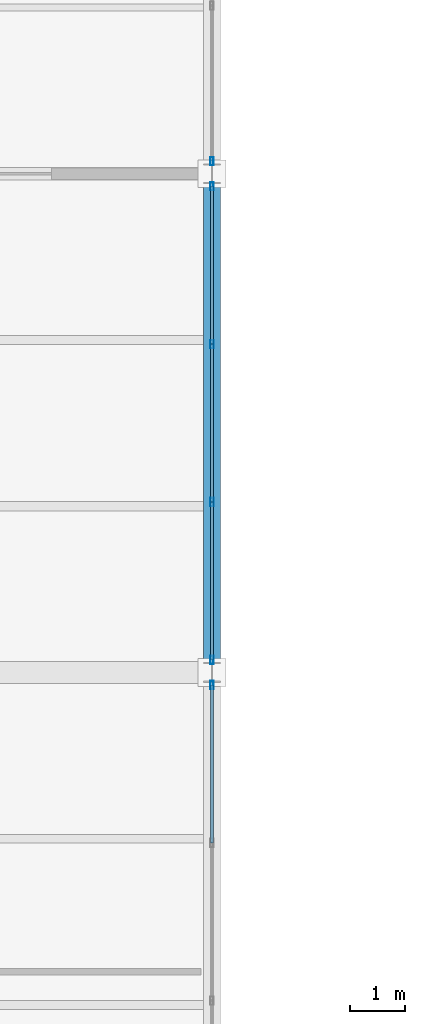
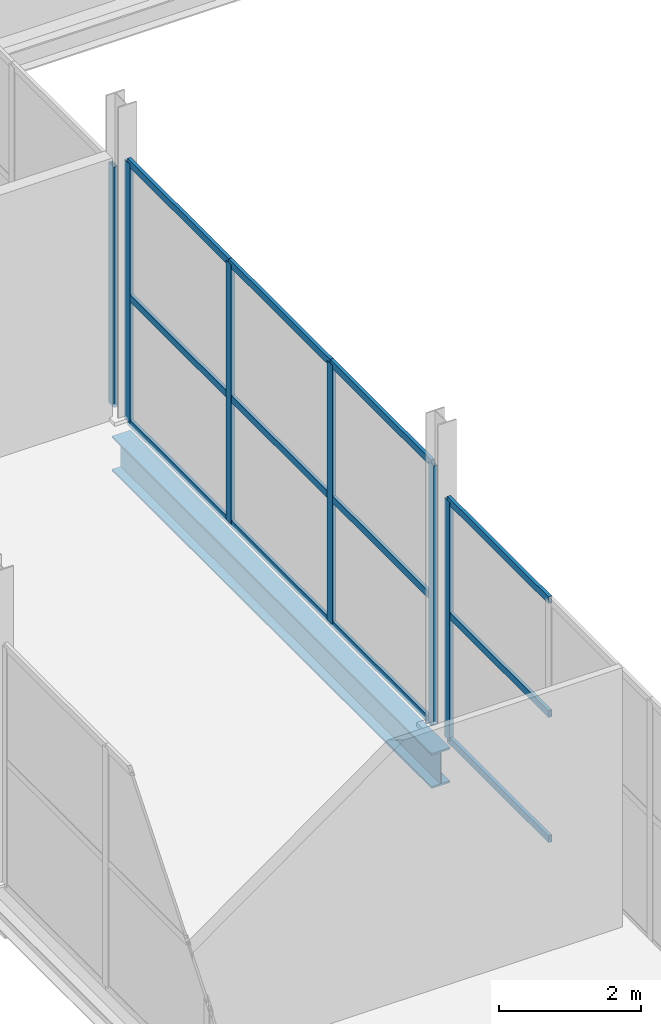
# One storey, part 83 of 141: 18 members, 1 beam, 3 elements without a shape of their own.
"""IFC4 building model written with IfcOpenShell, lengths in metres."""

from ifc_helpers import new_model, si_unit, direction, frame, origin, origin_2d, place, context, subcontext, project, spatial, hollow_rectangle, i_section, extrude, material, layer, layer_set, material_profile, profile_set, type_object, element, aggregate, save


model = new_model("IFC4")

# Units and contexts
model_context = context("Model", 3, precision=1e-05, world=origin(), true_north=direction((0.0, 1.0)))
body_context = subcontext(model_context, "Body", "Model", "MODEL_VIEW")
ifc_project = project(units=[si_unit("LENGTHUNIT", "METRE"), si_unit("AREAUNIT", "SQUARE_METRE"), si_unit("VOLUMEUNIT", "CUBIC_METRE"), si_unit("PLANEANGLEUNIT", "RADIAN"), si_unit("MASSUNIT", "GRAM", prefix="KILO")], contexts=[model_context])

# Site, building, storey
site_placement = place(None, origin())
site = spatial("IfcSite", under=ifc_project, at=site_placement, CompositionType="ELEMENT")
building_placement = place(site_placement, origin())
building = spatial("IfcBuilding", under=site, at=building_placement, Name="Sundgate Opera House", CompositionType="ELEMENT")
storey_placement = place(building_placement, frame((0.0, 0.0, 11.39990234375)))
storey = spatial("IfcBuildingStorey", under=building, at=storey_placement, Name="L02", CompositionType="ELEMENT", Elevation=11.39990234375)

# Beam
ifc_material_1 = material(Name="Steel S355J2", Category="steel")
ifc_material_profile_1 = material_profile(ifc_material_1, i_section(OverallWidth=0.300048828125, OverallDepth=0.60009765625, WebThickness=0.015380859375, FlangeThickness=0.030029296875, at=origin_2d()), Name="HEB 600")
ifc_profile_set_1 = profile_set([ifc_material_profile_1], Name="Steel S355J2")
beam_type = type_object("IfcBeamType", Name="BM-GR-HEB600", PredefinedType="BEAM", material=ifc_profile_set_1)
beam_placement = place(storey_placement, frame((145.800048828125, 51.0, -0.64990234375), z_axis=(0.0, 1.0, 0.0), x_axis=(-1.0, 0.0, 0.0)))
element("IfcBeam", 1, at=beam_placement, inside=storey, type_object=beam_type, Name="L02 Primary N-S Girder B1925", PredefinedType="BEAM", context=body_context, shape_type="SweptSolid", body=[
    extrude(i_section(OverallWidth=0.300048828125, OverallDepth=0.60009765625, WebThickness=0.015380859375, FlangeThickness=0.030029296875, at=origin_2d()), origin(), (0.0, 0.0, 1.0), 9.0),
])

# Curtain wall, member
ifc_material_2 = material(Name="Anodized aluminium and low-iron glass", Category="aluminium")
ifc_layer = layer(ifc_material_2, 0.159912109375)
ifc_layer_set = layer_set([ifc_layer], Name="Anodized aluminium and low-iron glass")
curtain_wall_type = type_object("IfcCurtainWallType", Name="CW-STUDIO-DARK", PredefinedType="NOTDEFINED", material=ifc_layer_set)
curtain_wall_1_placement = place(storey_placement, origin())
curtain_wall_1 = element("IfcCurtainWall", 2, at=curtain_wall_1_placement, inside=storey, type_object=curtain_wall_type, Name="L02 Curtain Wall CW065", PredefinedType="NOTDEFINED")
ifc_material_3 = material(Name="Anodized aluminium EN AW-6063", Category="aluminium")
ifc_material_profile_2 = material_profile(ifc_material_3, hollow_rectangle(XDim=0.06005859375, YDim=0.14990234375, WallThickness=0.00390625, at=origin_2d()), Name="CWM 150x60x4")
ifc_profile_set_2 = profile_set([ifc_material_profile_2], Name="Anodized aluminium EN AW-6063")
member_type_1 = type_object("IfcMemberType", Name="CWM-ALU-150x60", PredefinedType="MULLION", material=ifc_profile_set_2)
member_1_placement = place(storey_placement, frame((145.800048828125, 50.77490234375, 0.0), z_axis=(0.0, 0.0, 1.0), x_axis=(1.0, 0.0, 0.0)))
member_1 = element("IfcMember", 3, at=member_1_placement, type_object=member_type_1, Name="CW065 Mullion 4", PredefinedType="MULLION", context=body_context, shape_type="SweptSolid", body=[
    extrude(hollow_rectangle(XDim=0.06005859375, YDim=0.14990234375, WallThickness=0.00390625, at=origin_2d()), origin(), (0.0, 0.0, 1.0), 4.10498046875),
])

# Curtain wall, members
curtain_wall_2_placement = place(storey_placement, origin())
curtain_wall_2 = element("IfcCurtainWall", 4, at=curtain_wall_2_placement, inside=storey, type_object=curtain_wall_type, Name="L02 Curtain Wall CW067", PredefinedType="NOTDEFINED")
member_2_placement = place(storey_placement, frame((145.800048828125, 51.22509765625, 0.0), z_axis=(0.0, 0.0, 1.0), x_axis=(1.0, 0.0, 0.0)))
member_2 = element("IfcMember", 5, at=member_2_placement, type_object=member_type_1, Name="CW067 Mullion 1", PredefinedType="MULLION", context=body_context, shape_type="SweptSolid", body=[
    extrude(hollow_rectangle(XDim=0.06005859375, YDim=0.14990234375, WallThickness=0.00390625, at=origin_2d()), origin(), (0.0, 0.0, 1.0), 4.455078125),
])
member_3_placement = place(storey_placement, frame((145.800048828125, 54.074951171875, 0.0), z_axis=(0.0, 0.0, 1.0), x_axis=(1.0, 0.0, 0.0)))
member_3 = element("IfcMember", 6, at=member_3_placement, type_object=member_type_1, Name="CW067 Mullion 2", PredefinedType="MULLION", context=body_context, shape_type="SweptSolid", body=[
    extrude(hollow_rectangle(XDim=0.06005859375, YDim=0.14990234375, WallThickness=0.00390625, at=origin_2d()), origin(), (0.0, 0.0, 1.0), 4.455078125),
])
member_4_placement = place(storey_placement, frame((145.800048828125, 56.925048828125, 0.0), z_axis=(0.0, 0.0, 1.0), x_axis=(1.0, 0.0, 0.0)))
member_4 = element("IfcMember", 7, at=member_4_placement, type_object=member_type_1, Name="CW067 Mullion 3", PredefinedType="MULLION", context=body_context, shape_type="SweptSolid", body=[
    extrude(hollow_rectangle(XDim=0.06005859375, YDim=0.14990234375, WallThickness=0.00390625, at=origin_2d()), origin(), (0.0, 0.0, 1.0), 4.455078125),
])
member_5_placement = place(storey_placement, frame((145.800048828125, 59.77490234375, 0.0), z_axis=(0.0, 0.0, 1.0), x_axis=(1.0, 0.0, 0.0)))
member_5 = element("IfcMember", 8, at=member_5_placement, type_object=member_type_1, Name="CW067 Mullion 4", PredefinedType="MULLION", context=body_context, shape_type="SweptSolid", body=[
    extrude(hollow_rectangle(XDim=0.06005859375, YDim=0.14990234375, WallThickness=0.00390625, at=origin_2d()), origin(), (0.0, 0.0, 1.0), 4.455078125),
])

# Curtain wall, member
curtain_wall_3_placement = place(storey_placement, origin())
curtain_wall_3 = element("IfcCurtainWall", 9, at=curtain_wall_3_placement, inside=storey, type_object=curtain_wall_type, Name="L02 Curtain Wall CW069", PredefinedType="NOTDEFINED")
member_6_placement = place(storey_placement, frame((145.800048828125, 60.22509765625, 0.0), z_axis=(0.0, 0.0, 1.0), x_axis=(1.0, 0.0, 0.0)))
member_6 = element("IfcMember", 10, at=member_6_placement, type_object=member_type_1, Name="CW069 Mullion 1", PredefinedType="MULLION", context=body_context, shape_type="SweptSolid", body=[
    extrude(hollow_rectangle(XDim=0.06005859375, YDim=0.14990234375, WallThickness=0.00390625, at=origin_2d()), origin(), (0.0, 0.0, 1.0), 4.135009765625),
])
aggregate(curtain_wall_3, [member_6])

# Member
ifc_material_4 = material(Name="Anodized aluminium EN AW-6063", Category="aluminium")
ifc_material_profile_3 = material_profile(ifc_material_4, hollow_rectangle(XDim=0.054931640625, YDim=0.1201171875, WallThickness=0.00390625, at=origin_2d()), Name="CWT 120x55x4")
ifc_profile_set_3 = profile_set([ifc_material_profile_3], Name="Anodized aluminium EN AW-6063")
member_type_2 = type_object("IfcMemberType", Name="CWT-ALU-120x55", PredefinedType="USERDEFINED", material=ifc_profile_set_3)
member_7_placement = place(storey_placement, frame((145.800048828125, 47.925048828125, 0.0), z_axis=(0.0, 1.0, 0.0), x_axis=(-1.0, 0.0, 0.0)))
member_7 = element("IfcMember", 11, at=member_7_placement, type_object=member_type_2, Name="CW065 Transom 7", ObjectType="TRANSOM", PredefinedType="USERDEFINED", context=body_context, shape_type="SweptSolid", body=[
    extrude(hollow_rectangle(XDim=0.054931640625, YDim=0.1201171875, WallThickness=0.00390625, at=origin_2d()), origin(), (0.0, 0.0, 1.0), 2.849853515625),
])

member_8_placement = place(storey_placement, frame((145.800048828125, 47.925048828125, 2.150146484375), z_axis=(0.0, 1.0, 0.0), x_axis=(-1.0, 0.0, 0.0)))
member_8 = element("IfcMember", 12, at=member_8_placement, type_object=member_type_2, Name="CW065 Transom 8", ObjectType="TRANSOM", PredefinedType="USERDEFINED", context=body_context, shape_type="SweptSolid", body=[
    extrude(hollow_rectangle(XDim=0.054931640625, YDim=0.1201171875, WallThickness=0.00390625, at=origin_2d()), origin(), (0.0, 0.0, 1.0), 2.849853515625),
])

member_9_placement = place(storey_placement, frame((145.800048828125, 47.925048828125, 4.10498046875), z_axis=(0.0, 1.0, 0.0), x_axis=(-1.0, 0.0, 0.0)))
member_9 = element("IfcMember", 13, at=member_9_placement, type_object=member_type_2, Name="CW065 Transom 9", ObjectType="TRANSOM", PredefinedType="USERDEFINED", context=body_context, shape_type="SweptSolid", body=[
    extrude(hollow_rectangle(XDim=0.054931640625, YDim=0.1201171875, WallThickness=0.00390625, at=origin_2d()), origin(), (0.0, 0.0, 1.0), 2.849853515625),
])

aggregate(curtain_wall_1, [member_1, member_7, member_8, member_9])

member_10_placement = place(storey_placement, frame((145.800048828125, 51.22509765625, 0.0), z_axis=(0.0, 1.0, 0.0), x_axis=(-1.0, 0.0, 0.0)))
member_10 = element("IfcMember", 14, at=member_10_placement, type_object=member_type_2, Name="CW067 Transom 1", ObjectType="TRANSOM", PredefinedType="USERDEFINED", context=body_context, shape_type="SweptSolid", body=[
    extrude(hollow_rectangle(XDim=0.054931640625, YDim=0.1201171875, WallThickness=0.00390625, at=origin_2d()), origin(), (0.0, 0.0, 1.0), 2.849853515625),
])

member_11_placement = place(storey_placement, frame((145.800048828125, 51.22509765625, 2.150146484375), z_axis=(0.0, 1.0, 0.0), x_axis=(-1.0, 0.0, 0.0)))
member_11 = element("IfcMember", 15, at=member_11_placement, type_object=member_type_2, Name="CW067 Transom 2", ObjectType="TRANSOM", PredefinedType="USERDEFINED", context=body_context, shape_type="SweptSolid", body=[
    extrude(hollow_rectangle(XDim=0.054931640625, YDim=0.1201171875, WallThickness=0.00390625, at=origin_2d()), origin(), (0.0, 0.0, 1.0), 2.849853515625),
])

member_12_placement = place(storey_placement, frame((145.800048828125, 51.22509765625, 4.455078125), z_axis=(0.0, 1.0, 0.0), x_axis=(-1.0, 0.0, 0.0)))
member_12 = element("IfcMember", 16, at=member_12_placement, type_object=member_type_2, Name="CW067 Transom 3", ObjectType="TRANSOM", PredefinedType="USERDEFINED", context=body_context, shape_type="SweptSolid", body=[
    extrude(hollow_rectangle(XDim=0.054931640625, YDim=0.1201171875, WallThickness=0.00390625, at=origin_2d()), origin(), (0.0, 0.0, 1.0), 2.849853515625),
])

member_13_placement = place(storey_placement, frame((145.800048828125, 54.074951171875, 0.0), z_axis=(0.0, 1.0, 0.0), x_axis=(-1.0, 0.0, 0.0)))
member_13 = element("IfcMember", 17, at=member_13_placement, type_object=member_type_2, Name="CW067 Transom 4", ObjectType="TRANSOM", PredefinedType="USERDEFINED", context=body_context, shape_type="SweptSolid", body=[
    extrude(hollow_rectangle(XDim=0.054931640625, YDim=0.1201171875, WallThickness=0.00390625, at=origin_2d()), origin(), (0.0, 0.0, 1.0), 2.85009765625),
])

member_14_placement = place(storey_placement, frame((145.800048828125, 54.074951171875, 2.150146484375), z_axis=(0.0, 1.0, 0.0), x_axis=(-1.0, 0.0, 0.0)))
member_14 = element("IfcMember", 18, at=member_14_placement, type_object=member_type_2, Name="CW067 Transom 5", ObjectType="TRANSOM", PredefinedType="USERDEFINED", context=body_context, shape_type="SweptSolid", body=[
    extrude(hollow_rectangle(XDim=0.054931640625, YDim=0.1201171875, WallThickness=0.00390625, at=origin_2d()), origin(), (0.0, 0.0, 1.0), 2.85009765625),
])

member_15_placement = place(storey_placement, frame((145.800048828125, 54.074951171875, 4.455078125), z_axis=(0.0, 1.0, 0.0), x_axis=(-1.0, 0.0, 0.0)))
member_15 = element("IfcMember", 19, at=member_15_placement, type_object=member_type_2, Name="CW067 Transom 6", ObjectType="TRANSOM", PredefinedType="USERDEFINED", context=body_context, shape_type="SweptSolid", body=[
    extrude(hollow_rectangle(XDim=0.054931640625, YDim=0.1201171875, WallThickness=0.00390625, at=origin_2d()), origin(), (0.0, 0.0, 1.0), 2.85009765625),
])

member_16_placement = place(storey_placement, frame((145.800048828125, 56.925048828125, 0.0), z_axis=(0.0, 1.0, 0.0), x_axis=(-1.0, 0.0, 0.0)))
member_16 = element("IfcMember", 20, at=member_16_placement, type_object=member_type_2, Name="CW067 Transom 7", ObjectType="TRANSOM", PredefinedType="USERDEFINED", context=body_context, shape_type="SweptSolid", body=[
    extrude(hollow_rectangle(XDim=0.054931640625, YDim=0.1201171875, WallThickness=0.00390625, at=origin_2d()), origin(), (0.0, 0.0, 1.0), 2.849853515625),
])

member_17_placement = place(storey_placement, frame((145.800048828125, 56.925048828125, 2.150146484375), z_axis=(0.0, 1.0, 0.0), x_axis=(-1.0, 0.0, 0.0)))
member_17 = element("IfcMember", 21, at=member_17_placement, type_object=member_type_2, Name="CW067 Transom 8", ObjectType="TRANSOM", PredefinedType="USERDEFINED", context=body_context, shape_type="SweptSolid", body=[
    extrude(hollow_rectangle(XDim=0.054931640625, YDim=0.1201171875, WallThickness=0.00390625, at=origin_2d()), origin(), (0.0, 0.0, 1.0), 2.849853515625),
])

member_18_placement = place(storey_placement, frame((145.800048828125, 56.925048828125, 4.455078125), z_axis=(0.0, 1.0, 0.0), x_axis=(-1.0, 0.0, 0.0)))
member_18 = element("IfcMember", 22, at=member_18_placement, type_object=member_type_2, Name="CW067 Transom 9", ObjectType="TRANSOM", PredefinedType="USERDEFINED", context=body_context, shape_type="SweptSolid", body=[
    extrude(hollow_rectangle(XDim=0.054931640625, YDim=0.1201171875, WallThickness=0.00390625, at=origin_2d()), origin(), (0.0, 0.0, 1.0), 2.849853515625),
])

aggregate(curtain_wall_2, [member_2, member_3, member_4, member_5, member_10, member_11, member_12, member_13, member_14, member_15, member_16, member_17, member_18])

save(model, "model.ifc")
